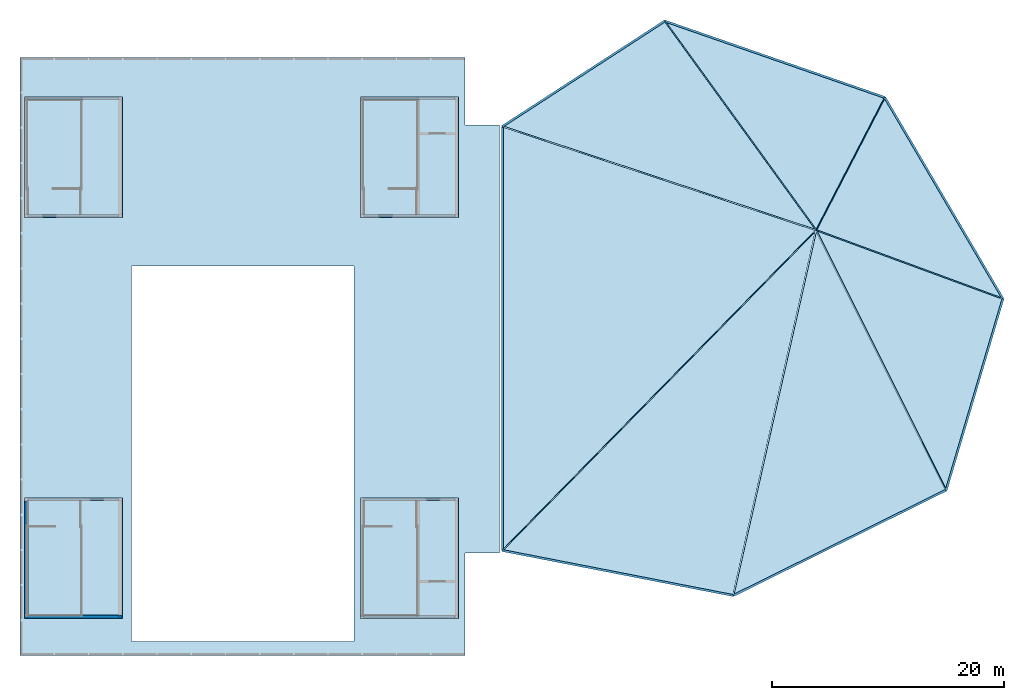
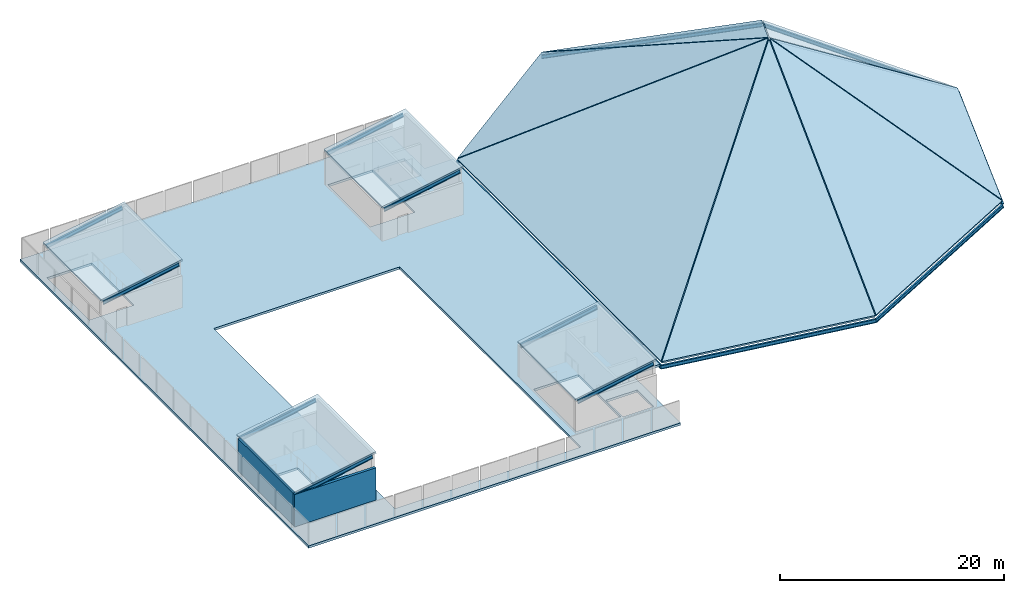
# One storey, part 1 of 3: 15 beams, 12 slabs, 2 walls.
"""IFC4 building model written with IfcOpenShell, lengths in metres."""

from ifc_helpers import new_model, si_unit, direction, frame, frame_2d, origin, origin_2d, place, context, subcontext, project, spatial, polyline, rectangle, i_section, outline, extrude, material, layer, layer_set, material_profile, profile_set, type_object, element, save


model = new_model("IFC4")

# Units and contexts
model_context = context("Model", 3, precision=1e-05, world=origin(), true_north=direction((0.0, 1.0)))
body_context = subcontext(model_context, "Body", "Model", "MODEL_VIEW")
ifc_project = project(units=[si_unit("LENGTHUNIT", "METRE"), si_unit("AREAUNIT", "SQUARE_METRE"), si_unit("VOLUMEUNIT", "CUBIC_METRE"), si_unit("PLANEANGLEUNIT", "RADIAN"), si_unit("MASSUNIT", "GRAM", prefix="KILO")], contexts=[model_context])

# Site, building, storey
site_placement = place(None, origin())
site = spatial("IfcSite", under=ifc_project, at=site_placement, CompositionType="ELEMENT")
building_placement = place(site_placement, origin())
building = spatial("IfcBuilding", under=site, at=building_placement, Name="Sarnbrook Museum", CompositionType="ELEMENT")
storey_placement = place(building_placement, frame((0.0, 0.0, 32.60009765625)))
storey = spatial("IfcBuildingStorey", under=building, at=storey_placement, Name="ROOF", CompositionType="ELEMENT", Elevation=32.60009765625)

# Beams
ifc_material_1 = material(Name="Structural Steel Grade 300PLUS (AS/NZS 3679.1, fy = 280 MPa for 17 < t <= 40 mm, 300 MPa for t <= 17 mm)", Category="steel")
ifc_material_profile = material_profile(ifc_material_1, i_section(OverallWidth=0.177978515625, OverallDepth=0.406005859375, WebThickness=0.0078125, FlangeThickness=0.0126953125, FilletRadius=0.011474609375, at=origin_2d()), Name="410UB59.7")
ifc_profile_set = profile_set([ifc_material_profile], Name="Structural Steel Grade 300PLUS (AS/NZS 3679.1, fy = 280 MPa for 17 < t <= 40 mm, 300 MPa for t <= 17 mm)")
beam_type = type_object("IfcBeamType", Name="SP-UB410", PredefinedType="SPANDREL", material=ifc_profile_set)
for number, where, z_axis, x_axis, name in (
    (1, (110.47998046875, 60.139892578125, 3.31494140625), (0.982645240347, 0.0, 0.185494829103), (0.0, 1.0, 0.0), "Stair ST1 Head-House Gable Rafter S"),
    (2, (110.47998046875, 70.260009765625, 3.31494140625), (0.982645240347, 0.0, 0.185494829103), (0.0, 1.0, 0.0), "Stair ST1 Head-House Gable Rafter N"),
    (3, (110.47998046875, 94.739990234375, 3.31494140625), (0.982645240347, 0.0, 0.185494829103), (0.0, 1.0, 0.0), "Stair ST2 Head-House Gable Rafter S"),
    (4, (110.47998046875, 104.860107421875, 3.31494140625), (0.982645240347, 0.0, 0.185494829103), (0.0, 1.0, 0.0), "Stair ST2 Head-House Gable Rafter N"),
    (5, (81.47998046875, 60.139892578125, 3.31494140625), (0.982645240347, 0.0, 0.185494829103), (0.0, 1.0, 0.0), "Stair ST3 Head-House Gable Rafter S"),
    (6, (81.47998046875, 70.260009765625, 3.31494140625), (0.982645240347, 0.0, 0.185494829103), (0.0, 1.0, 0.0), "Stair ST3 Head-House Gable Rafter N"),
    (7, (81.47998046875, 94.739990234375, 3.31494140625), (0.982645240347, 0.0, 0.185494829103), (0.0, 1.0, 0.0), "Stair ST4 Head-House Gable Rafter S"),
    (8, (81.47998046875, 104.860107421875, 3.31494140625), (0.982645240347, 0.0, 0.185494829103), (0.0, 1.0, 0.0), "Stair ST4 Head-House Gable Rafter N"),
):
    element("IfcBeam", number, at=place(storey_placement, frame(where, z_axis=z_axis, x_axis=x_axis)), inside=storey, type_object=beam_type, Name=name, PredefinedType="SPANDREL", context=body_context, shape_type="SweptSolid", body=[
        extrude(i_section(OverallWidth=0.177978515625, OverallDepth=0.406005859375, WebThickness=0.0078125, FlangeThickness=0.0126953125, FilletRadius=0.011474609375, at=origin_2d()), origin(), (0.0, 0.0, 1.0), 7.978515625),
    ])
beam_1_placement = place(storey_placement, frame((122.4189453125, 65.85205078125, -0.52001953125), z_axis=(0.981288554598, -0.191263931097, 0.022155840667), x_axis=(0.191310892328, 0.981529491394, 0.0)))
element("IfcBeam", 9, at=beam_1_placement, inside=storey, type_object=beam_type, Name="Crystal Roof Eaves Ring Beam 1", PredefinedType="SPANDREL", context=body_context, shape_type="SweptSolid", body=[
    extrude(i_section(OverallWidth=0.177978515625, OverallDepth=0.406005859375, WebThickness=0.0078125, FlangeThickness=0.0126953125, FilletRadius=0.011474609375, at=origin_2d()), origin(), (0.0, 0.0, 1.0), 20.308349609375),
])
beam_2_placement = place(storey_placement, frame((142.347412109375, 61.9677734375, -0.070068359375), z_axis=(0.895776046251, 0.443541792242, 0.029256682959), x_axis=(-0.443731739765, 0.896159663858, 0.0)))
element("IfcBeam", 10, at=beam_2_placement, inside=storey, type_object=beam_type, Name="Crystal Roof Eaves Ring Beam 2", PredefinedType="SPANDREL", context=body_context, shape_type="SweptSolid", body=[
    extrude(i_section(OverallWidth=0.177978515625, OverallDepth=0.406005859375, WebThickness=0.0078125, FlangeThickness=0.0126953125, FilletRadius=0.011474609375, at=origin_2d()), origin(), (0.0, 0.0, 1.0), 20.503173828125),
])
beam_3_placement = place(storey_placement, frame((160.713623046875, 71.061767578125, 0.52978515625), z_axis=(0.284428213062, 0.958065035571, 0.034813492068), x_axis=(-0.958646141303, 0.284600730436, 0.0)))
element("IfcBeam", 11, at=beam_3_placement, inside=storey, type_object=beam_type, Name="Crystal Roof Eaves Ring Beam 3", PredefinedType="SPANDREL", context=body_context, shape_type="SweptSolid", body=[
    extrude(i_section(OverallWidth=0.177978515625, OverallDepth=0.406005859375, WebThickness=0.0078125, FlangeThickness=0.0126953125, FilletRadius=0.011474609375, at=origin_2d()), origin(), (0.0, 0.0, 1.0), 17.237548828125),
])
beam_4_placement = place(storey_placement, frame((165.616455078125, 87.576416015625, 1.1298828125), z_axis=(-0.50593106393, 0.862284721884, 0.02233421042), x_axis=(-0.862499863495, -0.506057294653, 0.0)))
element("IfcBeam", 12, at=beam_4_placement, inside=storey, type_object=beam_type, Name="Crystal Roof Eaves Ring Beam 4", PredefinedType="SPANDREL", context=body_context, shape_type="SweptSolid", body=[
    extrude(i_section(OverallWidth=0.177978515625, OverallDepth=0.406005859375, WebThickness=0.0078125, FlangeThickness=0.0126953125, FilletRadius=0.011474609375, at=origin_2d()), origin(), (0.0, 0.0, 1.0), 20.146240234375),
])
beam_5_placement = place(storey_placement, frame((155.423828125, 104.9482421875, 1.579833984375), z_axis=(-0.943832513657, 0.327714062016, -0.04223363259), x_axis=(-0.328006722046, -0.944675388847, 0.0)))
element("IfcBeam", 13, at=beam_5_placement, inside=storey, type_object=beam_type, Name="Crystal Roof Eaves Ring Beam 5", PredefinedType="SPANDREL", context=body_context, shape_type="SweptSolid", body=[
    extrude(i_section(OverallWidth=0.177978515625, OverallDepth=0.406005859375, WebThickness=0.0078125, FlangeThickness=0.0126953125, FilletRadius=0.011474609375, at=origin_2d()), origin(), (0.0, 0.0, 1.0), 20.12255859375),
])
beam_6_placement = place(storey_placement, frame((136.431396484375, 111.542724609375, 0.72998046875), z_axis=(-0.836563235589, -0.542764034618, -0.074626775263), x_axis=(0.544281745522, -0.838902486283, 0.0)))
element("IfcBeam", 14, at=beam_6_placement, inside=storey, type_object=beam_type, Name="Crystal Roof Eaves Ring Beam 6", PredefinedType="SPANDREL", context=body_context, shape_type="SweptSolid", body=[
    extrude(i_section(OverallWidth=0.177978515625, OverallDepth=0.406005859375, WebThickness=0.0078125, FlangeThickness=0.0126953125, FilletRadius=0.011474609375, at=origin_2d()), origin(), (0.0, 0.0, 1.0), 16.75),
])
beam_7_placement = place(storey_placement, frame((122.4189453125, 102.451416015625, -0.52001953125), z_axis=(0.0, -1.0, 0.0), x_axis=(1.0, 0.0, 0.0)))
element("IfcBeam", 15, at=beam_7_placement, inside=storey, type_object=beam_type, Name="Crystal Roof Eaves Ring Beam 7", PredefinedType="SPANDREL", context=body_context, shape_type="SweptSolid", body=[
    extrude(i_section(OverallWidth=0.177978515625, OverallDepth=0.406005859375, WebThickness=0.0078125, FlangeThickness=0.0126953125, FilletRadius=0.011474609375, at=origin_2d()), origin(), (0.0, 0.0, 1.0), 36.599365234375),
])

# Slabs
ifc_material_2 = material(Name="Concrete N40 (AS 3600, f'c = 40 MPa)", Category="concrete")
ifc_layer_1 = layer(ifc_material_2, 0.239990234375)
ifc_layer_set_1 = layer_set([ifc_layer_1], Name="Concrete N40 (AS 3600, f'c = 40 MPa)")
slab_type_1 = type_object("IfcSlabType", Name="RoofSlab_Crystal240", PredefinedType="ROOF", material=ifc_layer_set_1)
slab_1_placement = place(storey_placement, frame((142.310791015625, 62.023681640625, 0.4619140625), z_axis=(-0.07086671907, -0.251755724342, 0.965192707903), x_axis=(0.213539077054, 0.941363782985, 0.261218855856)))
element("IfcSlab", 16, at=slab_1_placement, inside=storey, type_object=slab_type_1, Name="Crystal Hall Sawtooth Roof Facet RF-CR1", PredefinedType="ROOF", context=body_context, shape_type="SweptSolid", body=[
    extrude(outline(polyline([(0.0, 0.0), (33.27250715317859, 5.967448757360216e-16), (-0.7117075059649871, 20.160327437571894), (0.0, 0.0)])), origin(), (0.0, 0.0, -1.0), 0.239990234375),
])
slab_2_placement = place(storey_placement, frame((160.649169921875, 71.08349609375, 1.064208984375), z_axis=(0.112160391722, -0.289241647348, 0.950662566828), x_axis=(-0.425163673754, 0.85073762015, 0.309000569874)))
element("IfcSlab", 17, at=slab_2_placement, inside=storey, type_object=slab_type_1, Name="Crystal Hall Sawtooth Roof Facet RF-CR2", PredefinedType="ROOF", context=body_context, shape_type="SweptSolid", body=[
    extrude(outline(polyline([(0.0, 0.0), (26.18304611924095, 3.885780586188048e-16), (-0.11272937655919357, 20.353830688676254), (0.0, 0.0)])), origin(), (0.0, 0.0, -1.0), 0.239990234375),
])
slab_3_placement = place(storey_placement, frame((165.5576171875, 87.546875, 1.66943359375), z_axis=(0.375623469612, -0.144769316282, 0.915395463251), x_axis=(-0.859217080978, 0.315797598803, 0.402514452345)))
element("IfcSlab", 18, at=slab_3_placement, inside=storey, type_object=slab_type_1, Name="Crystal Hall Sawtooth Roof Facet RF-CR3", PredefinedType="ROOF", context=body_context, shape_type="SweptSolid", body=[
    extrude(outline(polyline([(0.0, 0.0), (18.57585668712571, -7.771561172376096e-16), (-1.2323611404791481, 17.026244368474643), (0.0, 0.0)])), origin(), (0.0, 0.0, -1.0), 0.239990234375),
])
slab_4_placement = place(storey_placement, frame((155.426513671875, 104.848876953125, 2.1298828125), z_axis=(0.48708407989, 0.264226499776, 0.832426246543), x_axis=(-0.402544479267, -0.777931715767, 0.482472991798)))
element("IfcSlab", 19, at=slab_4_placement, inside=storey, type_object=slab_type_1, Name="Crystal Hall Sawtooth Roof Facet RF-CR4", PredefinedType="ROOF", context=body_context, shape_type="SweptSolid", body=[
    extrude(outline(polyline([(0.0, 0.0), (14.554631899094256, -2.220446049250313e-16), (9.093055226546447, 17.72933077227185), (0.0, 0.0)])), origin(), (0.0, 0.0, -1.0), 0.239990234375),
])
slab_5_placement = place(storey_placement, frame((136.559814453125, 111.447509765625, 1.283447265625), z_axis=(0.125957334786, 0.474977761558, 0.870936780621), x_axis=(0.552477362246, -0.762768132087, 0.336085615399)))
element("IfcSlab", 20, at=slab_5_placement, inside=storey, type_object=slab_type_1, Name="Crystal Hall Sawtooth Roof Facet RF-CR5", PredefinedType="ROOF", context=body_context, shape_type="SweptSolid", body=[
    extrude(outline(polyline([(0.0, 0.0), (23.409736747935852, 2.6645352591003757e-15), (15.645269185726619, 12.321339010906575), (0.0, 0.0)])), origin(), (0.0, 0.0, -1.0), 0.239990234375),
])
slab_6_placement = place(storey_placement, frame((122.52880859375, 102.465576171875, 0.0244140625), z_axis=(-0.239980228978, 0.240576999372, 0.940495718796), x_axis=(0.90363272763, -0.298685226823, 0.306977244813)))
element("IfcSlab", 21, at=slab_6_placement, inside=storey, type_object=slab_type_1, Name="Crystal Hall Sawtooth Roof Facet RF-CR6", PredefinedType="ROOF", context=body_context, shape_type="SweptSolid", body=[
    extrude(outline(polyline([(0.0, 0.0), (29.70783359464842, 1.1102230246251565e-15), (10.2403386457604, 13.070316571982584), (0.0, 0.0)])), origin(), (0.0, 0.0, -1.0), 0.239990234375),
])
slab_7_placement = place(storey_placement, frame((122.466796875, 65.9697265625, 0.01611328125), z_axis=(-0.32166602031, 0.0, 0.946853194206), x_axis=(0.680777887605, 0.695020515768, 0.231274621199)))
element("IfcSlab", 22, at=slab_7_placement, inside=storey, type_object=slab_type_1, Name="Crystal Hall Sawtooth Roof Facet RF-CR7", PredefinedType="ROOF", context=body_context, shape_type="SweptSolid", body=[
    extrude(outline(polyline([(0.0, 0.0), (39.579823096465745, -4.440892098500626e-15), (25.309368913662855, 26.182220989746344), (0.0, 0.0)])), origin(), (0.0, 0.0, -1.0), 0.239990234375),
])
ifc_layer_2 = layer(ifc_material_2, 0.25)
ifc_layer_set_2 = layer_set([ifc_layer_2], Name="Concrete N40 (AS 3600, f'c = 40 MPa)")
slab_type_2 = type_object("IfcSlabType", Name="RoofSlab_Curb250", PredefinedType="ROOF", material=ifc_layer_set_2)
slab_8_placement = place(storey_placement, frame((0.0, 0.0, -0.25)))
element("IfcSlab", 23, at=slab_8_placement, inside=storey, type_object=slab_type_2, Name="Upper Gallery Collar Roof Slab", PredefinedType="ROOF", context=body_context, shape_type="SweptSolid", body=[
    extrude(outline(polyline([(119.199951171875, 56.800048828125), (80.800048828125, 56.800048828125), (80.800048828125, 108.39990234375), (119.199951171875, 108.39990234375), (119.199951171875, 102.5908203125), (122.162109375, 102.5908203125), (122.162109375, 65.640625), (119.199951171875, 65.640625), (119.199951171875, 56.800048828125)]), holes=[polyline([(115.199951171875, 63.179931640625), (118.39990234375, 63.179931640625), (118.39990234375, 60.199951171875), (115.199951171875, 60.199951171875), (115.199951171875, 63.179931640625)]), polyline([(81.43994140625, 67.879638671875), (86.06005859375, 67.879638671875), (86.06005859375, 60.300048828125), (81.43994140625, 60.300048828125), (81.43994140625, 67.879638671875)]), polyline([(110.43994140625, 67.879638671875), (115.06005859375, 67.879638671875), (115.06005859375, 60.300048828125), (110.43994140625, 60.300048828125), (110.43994140625, 67.879638671875)]), polyline([(90.39990234375, 58.0), (90.39990234375, 90.39990234375), (109.60009765625, 90.39990234375), (109.60009765625, 58.0), (90.39990234375, 58.0)]), polyline([(86.06005859375, 104.699951171875), (86.06005859375, 97.120361328125), (81.43994140625, 97.120361328125), (81.43994140625, 104.699951171875), (86.06005859375, 104.699951171875)]), polyline([(115.06005859375, 97.120361328125), (110.43994140625, 97.120361328125), (110.43994140625, 104.699951171875), (115.06005859375, 104.699951171875), (115.06005859375, 97.120361328125)]), polyline([(115.199951171875, 101.820068359375), (115.199951171875, 104.800048828125), (118.39990234375, 104.800048828125), (118.39990234375, 101.820068359375), (115.199951171875, 101.820068359375)])]), origin(), (0.0, 0.0, 1.0), 0.25),
])
ifc_layer_3 = layer(ifc_material_2, 0.2099609375)
ifc_layer_set_3 = layer_set([ifc_layer_3], Name="Concrete N40 (AS 3600, f'c = 40 MPa)")
slab_type_3 = type_object("IfcSlabType", Name="RoofSlab_Zinc210", PredefinedType="ROOF", material=ifc_layer_set_3)
for number, where, z_axis, x_axis, name in (
    (24, (110.199951171875, 60.0, 3.7998046875), (-0.173512640321, 0.0, 0.984831642286), (0.984831642286, 0.0, 0.173512640321), "Stair ST1 Head-House Pitched Roof Slab"),
    (25, (110.199951171875, 94.60009765625, 3.7998046875), (-0.173512640321, 0.0, 0.984831642286), (0.984831642286, 0.0, 0.173512640321), "Stair ST2 Head-House Pitched Roof Slab"),
    (26, (81.199951171875, 60.0, 3.7998046875), (-0.173512640321, 0.0, 0.984831642286), (0.984831642286, 0.0, 0.173512640321), "Stair ST3 Head-House Pitched Roof Slab"),
    (27, (81.199951171875, 94.60009765625, 3.7998046875), (-0.173512640321, 0.0, 0.984831642286), (0.984831642286, 0.0, 0.173512640321), "Stair ST4 Head-House Pitched Roof Slab"),
):
    element("IfcSlab", number, at=place(storey_placement, frame(where, z_axis=z_axis, x_axis=x_axis)), inside=storey, type_object=slab_type_3, Name=name, PredefinedType="ROOF", context=body_context, shape_type="SweptSolid", body=[
        extrude(outline(polyline([(0.0, 0.0), (8.529525376410996, 0.0), (8.529525376410996, 10.39990234375), (0.0, 10.39990234375), (0.0, 0.0)])), origin(), (0.0, 0.0, -1.0), 0.2099609375),
    ])

# Walls
ifc_material_3 = material(Name="Victorian Bluestone Ashlar Masonry", Category="masonry")
ifc_layer_4 = layer(ifc_material_3, 0.280029296875)
ifc_layer_set_4 = layer_set([ifc_layer_4], Name="Victorian Bluestone Ashlar Masonry")
wall_type = type_object("IfcWallType", Name="Wall_LimestoneClad280", PredefinedType="STANDARD", material=ifc_layer_set_4)
wall_1_placement = place(storey_placement, frame((81.199951171875, 60.139892578125, 0.0), z_axis=(0.0, 0.0, 1.0), x_axis=(1.0, 0.0, 0.0)))
element("IfcWall", 28, at=wall_1_placement, inside=storey, type_object=wall_type, Name="Stair ST3 Roof Head-House Wall S", PredefinedType="STANDARD", context=body_context, shape_type="SweptSolid", body=[
    extrude(rectangle(XDim=8.400146484375, YDim=0.280029296875, at=frame_2d((4.2001953125, 0.0))), origin(), (0.0, 0.0, 1.0), 3.514892578125),
])
wall_2_placement = place(storey_placement, frame((81.340087890625, 70.1201171875, 0.0), z_axis=(0.0, 0.0, 1.0), x_axis=(0.0, -1.0, 0.0)))
element("IfcWall", 29, at=wall_2_placement, inside=storey, type_object=wall_type, Name="Stair ST3 Roof Head-House Wall W", PredefinedType="STANDARD", context=body_context, shape_type="SweptSolid", body=[
    extrude(rectangle(XDim=9.840087890625, YDim=0.280029296875, at=frame_2d((4.919921875, 0.0))), origin(), (0.0, 0.0, 1.0), 3.514892578125),
])

save(model, "model.ifc")
